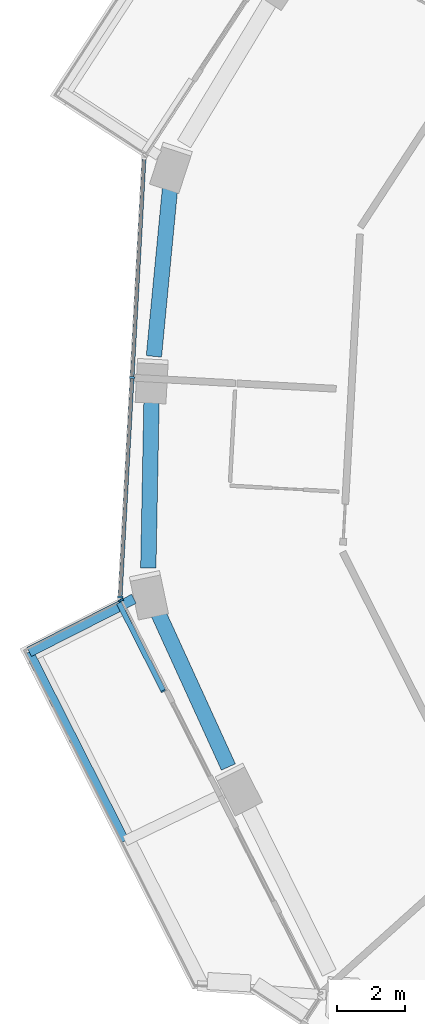
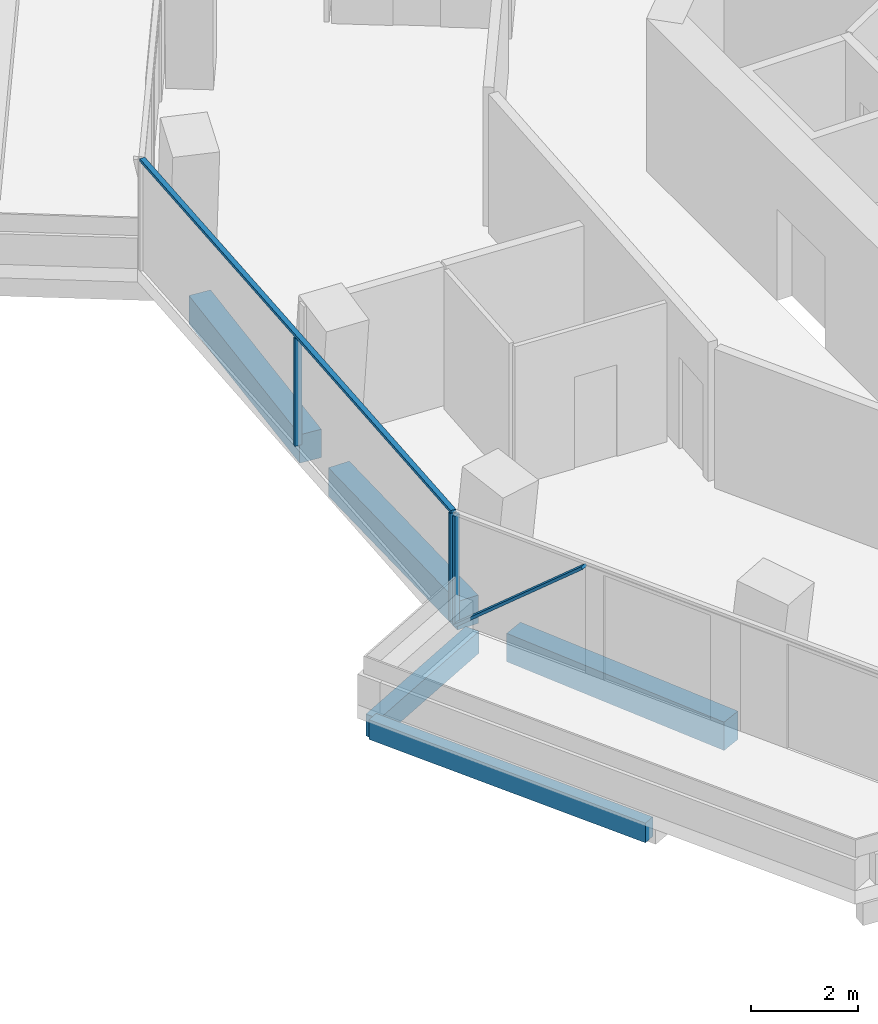
# One storey, part 4 of 23: 5 beams, 5 members, 2 elements without a shape of their own.
"""IFC4 building model written with IfcOpenShell, lengths in metres."""

from ifc_helpers import new_model, si_unit, direction, frame, origin, origin_2d, place, context, subcontext, project, spatial, rectangle, extrude, material, layer, layer_set, material_profile, profile_set, type_object, element, aggregate, save


model = new_model("IFC4")

# Units and contexts
model_context = context("Model", 3, precision=1e-05, world=origin(), true_north=direction((0.0, 1.0)))
body_context = subcontext(model_context, "Body", "Model", "MODEL_VIEW")
ifc_project = project(units=[si_unit("LENGTHUNIT", "METRE"), si_unit("AREAUNIT", "SQUARE_METRE"), si_unit("VOLUMEUNIT", "CUBIC_METRE"), si_unit("PLANEANGLEUNIT", "RADIAN"), si_unit("MASSUNIT", "GRAM", prefix="KILO")], contexts=[model_context])

# Site, building, storey
site_placement = place(None, origin())
site = spatial("IfcSite", under=ifc_project, at=site_placement, CompositionType="ELEMENT")
building_placement = place(site_placement, origin())
building = spatial("IfcBuilding", under=site, at=building_placement, Name="Verdalira Terraces Hotel", CompositionType="ELEMENT")
storey_placement = place(building_placement, frame((0.0, 0.0, 143.5)))
storey = spatial("IfcBuildingStorey", under=building, at=storey_placement, Name="L34", CompositionType="ELEMENT", Elevation=143.5)

# Beams
ifc_material_1 = material(Name="Concrete C40", Category="concrete")
ifc_material_profile_1 = material_profile(ifc_material_1, rectangle(XDim=0.300049, YDim=0.5, at=origin_2d()), Name="RC 300X500")
ifc_profile_set_1 = profile_set([ifc_material_profile_1], Name="Concrete C40")
beam_type_1 = type_object("IfcBeamType", Name="Balcony cantilever beam RC 300X500 C40", PredefinedType="BEAM", material=ifc_profile_set_1)
beam_1_placement = place(storey_placement, frame((-24.099121, -5.156738, -0.560059), z_axis=(-0.891952004, -0.452130094, 0.0), x_axis=(0.452130094, -0.891952004, 0.0)))
element("IfcBeam", 1, at=beam_1_placement, inside=storey, type_object=beam_type_1, Name="Balcony cantilever beam R13-2", PredefinedType="BEAM", context=body_context, shape_type="SweptSolid", body=[
    extrude(rectangle(XDim=0.300049, YDim=0.5, at=origin_2d()), origin(), (0.0, 0.0, 1.0), 3.431641),
])
ifc_material_2 = material(Name="Concrete C40", Category="concrete")
ifc_material_profile_2 = material_profile(ifc_material_2, rectangle(XDim=0.25, YDim=0.449951, at=origin_2d()), Name="RC 250X450")
ifc_profile_set_2 = profile_set([ifc_material_profile_2], Name="Concrete C40")
beam_type_2 = type_object("IfcBeamType", Name="Balcony edge beam RC 250X450 C40", PredefinedType="BEAM", material=ifc_profile_set_2)
beam_2_placement = place(storey_placement, frame((-27.159912, -6.708252, -0.534912), z_axis=(0.452136913, -0.891948548, 0.0), x_axis=(0.891948548, 0.452136913, 0.0)))
element("IfcBeam", 2, at=beam_2_placement, inside=storey, type_object=beam_type_2, Name="Balcony edge beam R13-1", PredefinedType="BEAM", context=body_context, shape_type="SweptSolid", body=[
    extrude(rectangle(XDim=0.25, YDim=0.449951, at=origin_2d()), origin(), (0.0, 0.0, 1.0), 6.199951),
])

# Curtain wall, members
ifc_material_3 = material(Name="Clear glass", Category="glass")
ifc_layer = layer(ifc_material_3, 0.14990234375)
ifc_layer_set = layer_set([ifc_layer], Name="CW1 curtain wall")
curtain_wall_type = type_object("IfcCurtainWallType", Name="CW1 curtain wall", PredefinedType="NOTDEFINED", material=ifc_layer_set)
curtain_wall_1_placement = place(storey_placement, origin())
curtain_wall_1 = element("IfcCurtainWall", 3, at=curtain_wall_1_placement, inside=storey, type_object=curtain_wall_type, Name="CW1 curtain wall L34 edge 12", PredefinedType="NOTDEFINED")
ifc_material_4 = material(Name="Terracotta frame", Category="masonry")
ifc_material_profile_3 = material_profile(ifc_material_4, rectangle(XDim=0.060059, YDim=0.149902, at=origin_2d()), Name="MU 60x150")
ifc_profile_set_3 = profile_set([ifc_material_profile_3], Name="Terracotta frame")
member_type_1 = type_object("IfcMemberType", Name="CW1 mullion 60x150", PredefinedType="MULLION", material=ifc_profile_set_3)
member_1_placement = place(storey_placement, frame((-24.147461, 1.316162, 0.0), z_axis=(0.0, 0.0, 1.0), x_axis=(-0.054427365, -0.998517732, 0.0)))
member_1 = element("IfcMember", 4, at=member_1_placement, type_object=member_type_1, Name="CW1 mullion", PredefinedType="MULLION", context=body_context, shape_type="SweptSolid", body=[
    extrude(rectangle(XDim=0.060059, YDim=0.149902, at=origin_2d()), origin(), (0.0, 0.0, 1.0), 2.475098),
])
member_2_placement = place(storey_placement, frame((-24.497559, -5.104004, 0.0), z_axis=(0.0, 0.0, 1.0), x_axis=(-0.054427365, -0.998517732, 0.0)))
member_2 = element("IfcMember", 5, at=member_2_placement, type_object=member_type_1, Name="CW1 mullion", PredefinedType="MULLION", context=body_context, shape_type="SweptSolid", body=[
    extrude(rectangle(XDim=0.060059, YDim=0.149902, at=origin_2d()), origin(), (0.0, 0.0, 1.0), 2.475098),
])

# Curtain wall, member
curtain_wall_2_placement = place(storey_placement, origin())
curtain_wall_2 = element("IfcCurtainWall", 6, at=curtain_wall_2_placement, inside=storey, type_object=curtain_wall_type, Name="CW1 curtain wall L34 edge 13", PredefinedType="NOTDEFINED")
member_3_placement = place(storey_placement, frame((-24.477539, -5.19873, 0.0), z_axis=(0.0, 0.0, 1.0), x_axis=(0.452123386, -0.891955405, 0.0)))
member_3 = element("IfcMember", 7, at=member_3_placement, type_object=member_type_1, Name="CW1 mullion", PredefinedType="MULLION", context=body_context, shape_type="SweptSolid", body=[
    extrude(rectangle(XDim=0.060059, YDim=0.149902, at=origin_2d()), origin(), (0.0, 0.0, 1.0), 2.475098),
])

# Member
ifc_material_5 = material(Name="Terracotta frame", Category="masonry")
ifc_material_profile_4 = material_profile(ifc_material_5, rectangle(XDim=0.110107, YDim=0.064941, at=origin_2d()), Name="TR 65x110")
ifc_profile_set_4 = profile_set([ifc_material_profile_4], Name="Terracotta frame")
member_type_2 = type_object("IfcMemberType", Name="CW1 transom 65x110", PredefinedType="USERDEFINED", material=ifc_profile_set_4)
member_4_placement = place(storey_placement, frame((-23.795898, 7.766357, 2.507568), z_axis=(-0.054423386, -0.998517949, 0.0), x_axis=(0.998517949, -0.054423386, 0.0)))
member_4 = element("IfcMember", 8, at=member_4_placement, type_object=member_type_2, Name="CW1 transom", ObjectType="TRANSOM", PredefinedType="USERDEFINED", context=body_context, shape_type="SweptSolid", body=[
    extrude(rectangle(XDim=0.110107, YDim=0.064941, at=origin_2d()), origin(), (0.0, 0.0, 1.0), 12.919434),
])

aggregate(curtain_wall_1, [member_1, member_2, member_4])

ifc_material_6 = material(Name="Terracotta frame", Category="masonry")
ifc_material_profile_5 = material_profile(ifc_material_6, rectangle(XDim=0.149902, YDim=0.060059, at=origin_2d()), Name="GB 60x150")
ifc_profile_set_5 = profile_set([ifc_material_profile_5], Name="Terracotta frame")
member_type_3 = type_object("IfcMemberType", Name="Diagonal glazing bar 60x150", PredefinedType="USERDEFINED", material=ifc_profile_set_5)
member_5_placement = place(storey_placement, frame((-24.530518, -5.29126, 0.02417), z_axis=(0.345148321, -0.680873462, 0.645975204), x_axis=(0.891944687, 0.452144529, 0.0)))
member_5 = element("IfcMember", 9, at=member_5_placement, type_object=member_type_3, Name="Diagonal glazing bar", ObjectType="GLAZING BAR", PredefinedType="USERDEFINED", context=body_context, shape_type="SweptSolid", body=[
    extrude(rectangle(XDim=0.149902, YDim=0.060059, at=origin_2d()), origin(), (0.0, 0.0, 1.0), 3.756836),
])

aggregate(curtain_wall_2, [member_3, member_5])

# Beams
ifc_material_7 = material(Name="Concrete C50", Category="concrete")
ifc_material_profile_6 = material_profile(ifc_material_7, rectangle(XDim=0.449951, YDim=0.649902, at=origin_2d()), Name="RC 450X650")
ifc_profile_set_6 = profile_set([ifc_material_profile_6], Name="Concrete C50")
beam_type_3 = type_object("IfcBeamType", Name="Spandrel beam RC 450X650 C50", PredefinedType="SPANDREL", material=ifc_profile_set_6)
beam_3_placement = place(storey_placement, frame((-23.032959, 6.932129, -0.63501), z_axis=(-0.095652116, -0.995414824, 0.0), x_axis=(0.995414824, -0.095652116, 0.0)))
element("IfcBeam", 10, at=beam_3_placement, inside=storey, type_object=beam_type_3, Name="Spandrel beam B04", PredefinedType="SPANDREL", context=body_context, shape_type="SweptSolid", body=[
    extrude(rectangle(XDim=0.449951, YDim=0.649902, at=origin_2d()), origin(), (0.0, 0.0, 1.0), 5.015381),
])
beam_4_placement = place(storey_placement, frame((-23.580322, 0.759033, -0.63501), z_axis=(-0.019191632, -0.999815824, 0.0), x_axis=(0.999815824, -0.019191632, 0.0)))
element("IfcBeam", 11, at=beam_4_placement, inside=storey, type_object=beam_type_3, Name="Spandrel beam B05", PredefinedType="SPANDREL", context=body_context, shape_type="SweptSolid", body=[
    extrude(rectangle(XDim=0.449951, YDim=0.649902, at=origin_2d()), origin(), (0.0, 0.0, 1.0), 5.012207),
])
beam_5_placement = place(storey_placement, frame((-23.41333, -5.512939, -0.63501), z_axis=(0.414877226, -0.909877403, 0.0), x_axis=(0.909877403, 0.414877226, 0.0)))
element("IfcBeam", 12, at=beam_5_placement, inside=storey, type_object=beam_type_3, Name="Spandrel beam B06", PredefinedType="SPANDREL", context=body_context, shape_type="SweptSolid", body=[
    extrude(rectangle(XDim=0.449951, YDim=0.649902, at=origin_2d()), origin(), (0.0, 0.0, 1.0), 5.015381),
])

save(model, "model.ifc")
